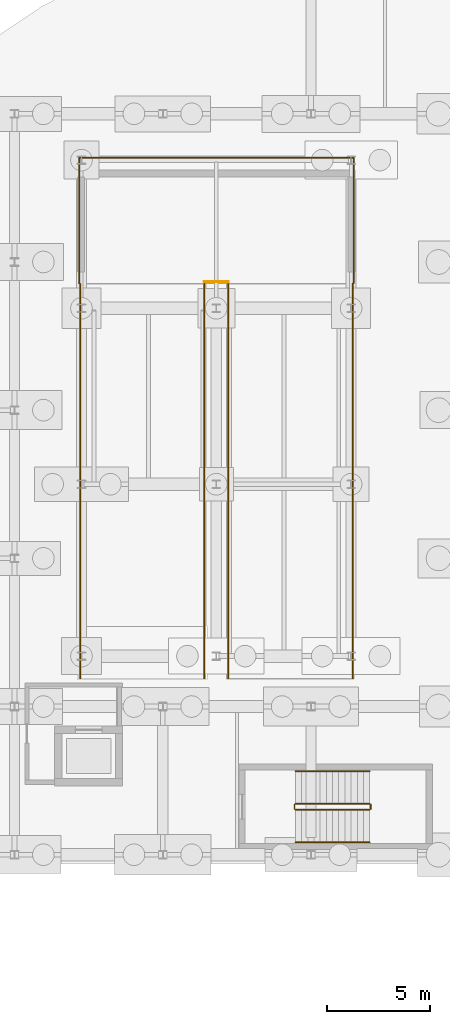
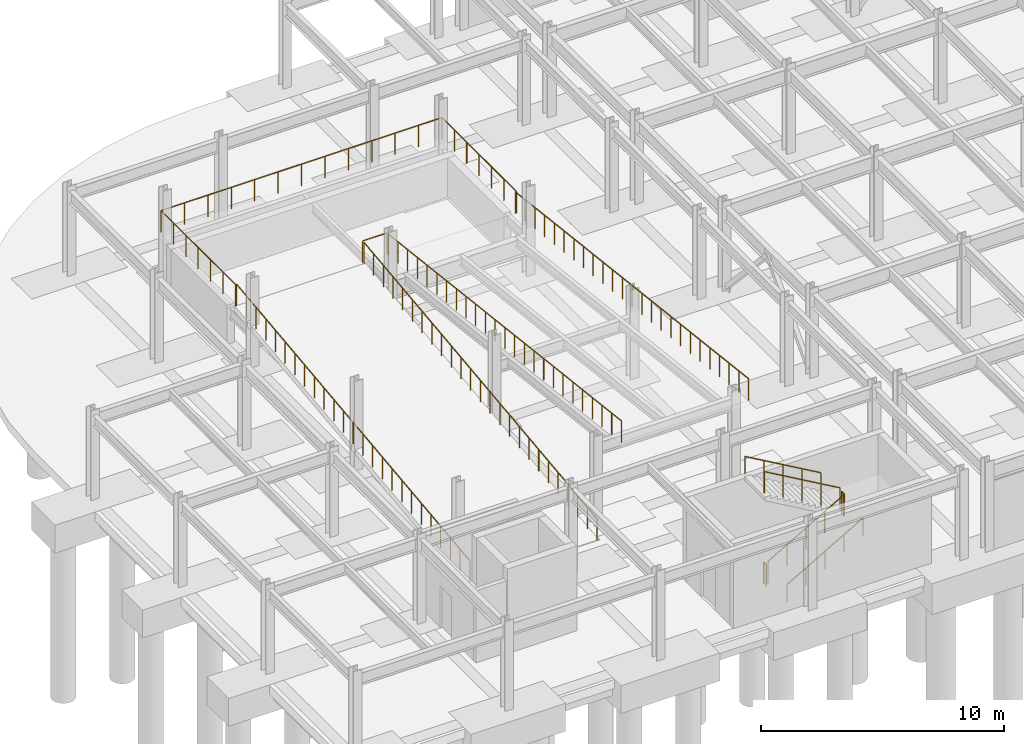
# One storey, part 48 of 54: 26 railings.
"""IFC4 building model written with IfcOpenShell, lengths in metres."""

from ifc_helpers import new_model, si_unit, direction, frame, origin, origin_2d, place, context, subcontext, project, spatial, circle, extrude, material, layer, layer_set, type_object, element, save


model = new_model("IFC4")

# Units and contexts
model_context = context("Model", 3, precision=1e-05, world=origin(), true_north=direction((0.0, 1.0)))
body_context = subcontext(model_context, "Body", "Model", "MODEL_VIEW")
ifc_project = project(units=[si_unit("LENGTHUNIT", "METRE"), si_unit("AREAUNIT", "SQUARE_METRE"), si_unit("VOLUMEUNIT", "CUBIC_METRE"), si_unit("PLANEANGLEUNIT", "RADIAN"), si_unit("MASSUNIT", "GRAM", prefix="KILO")], contexts=[model_context])

# Site, building, storey
site_placement = place(None, origin())
site = spatial("IfcSite", under=ifc_project, at=site_placement, CompositionType="ELEMENT")
building_placement = place(site_placement, origin())
building = spatial("IfcBuilding", under=site, at=building_placement, Name="Vaelcorin Mobility Hub", CompositionType="ELEMENT")
storey_placement = place(building_placement, frame((0.0, 0.0, -4.5)))
storey = spatial("IfcBuildingStorey", under=building, at=storey_placement, Name="B1", CompositionType="ELEMENT", Elevation=-4.5)

# Railings
ifc_material_1 = material(Name="Galvanised structural steel ASTM A36", Category="steel")
ifc_layer_1 = layer(ifc_material_1, 0.070068359375)
ifc_layer_set_1 = layer_set([ifc_layer_1], Name="Galvanised structural steel ASTM A36")
railing_type_1 = type_object("IfcRailingType", Name="RL-GUARD-1100", PredefinedType="BALUSTRADE", material=ifc_layer_set_1)
railing_1_placement = place(storey_placement, frame((16.3798828125, 85.360107421875, 0.0)))
element("IfcRailing", 1, at=railing_1_placement, inside=storey, type_object=railing_type_1, Name="B1 Ramp Guard GR-V2W-B1-FL1-W-01", PredefinedType="BALUSTRADE", context=body_context, shape_type="SweptSolid", body=[
    extrude(circle(Radius=0.02392578125, at=origin_2d()), frame((0.0, 0.0, 1.076171875), z_axis=(0.0, 0.993200909651, 0.116412856111), x_axis=(-1.0, 0.0, 0.0)), (0.0, 0.0, 1.0), 4.82763671875),
    extrude(circle(Radius=0.02099609375, at=origin_2d()), origin(), (0.0, 0.0, 1.0), 1.052001953125),
    extrude(circle(Radius=0.02099609375, at=origin_2d()), frame((0.0, 0.799072265625, 0.09375)), (0.0, 0.0, 1.0), 1.052001953125),
    extrude(circle(Radius=0.02099609375, at=origin_2d()), frame((0.0, 1.598388671875, 0.187255859375)), (0.0, 0.0, 1.0), 1.052001953125),
    extrude(circle(Radius=0.02099609375, at=origin_2d()), frame((0.0, 2.3974609375, 0.281005859375)), (0.0, 0.0, 1.0), 1.052001953125),
    extrude(circle(Radius=0.02099609375, at=origin_2d()), frame((0.0, 3.196533203125, 0.374755859375)), (0.0, 0.0, 1.0), 1.052001953125),
    extrude(circle(Radius=0.02099609375, at=origin_2d()), frame((0.0, 3.995849609375, 0.46826171875)), (0.0, 0.0, 1.0), 1.052001953125),
    extrude(circle(Radius=0.02099609375, at=origin_2d()), frame((0.0, 4.794921875, 0.56201171875)), (0.0, 0.0, 1.0), 1.052001953125),
])
railing_2_placement = place(storey_placement, frame((16.3798828125, 90.155029296875, 0.56201171875)))
element("IfcRailing", 2, at=railing_2_placement, inside=storey, type_object=railing_type_1, Name="B1 Ramp Guard GR-V2W-B1-FL1-W-02", PredefinedType="BALUSTRADE", context=body_context, shape_type="SweptSolid", body=[
    extrude(circle(Radius=0.02392578125, at=origin_2d()), frame((0.0, 0.0, 1.076171875), z_axis=(0.0, 0.993177502128, 0.116612388997), x_axis=(-1.0, 0.0, 0.0)), (0.0, 0.0, 1.0), 4.827880859375),
    extrude(circle(Radius=0.02099609375, at=origin_2d()), origin(), (0.0, 0.0, 1.0), 1.052001953125),
    extrude(circle(Radius=0.02099609375, at=origin_2d()), frame((0.0, 0.799072265625, 0.09375)), (0.0, 0.0, 1.0), 1.052001953125),
    extrude(circle(Radius=0.02099609375, at=origin_2d()), frame((0.0, 1.598388671875, 0.187744140625)), (0.0, 0.0, 1.0), 1.052001953125),
    extrude(circle(Radius=0.02099609375, at=origin_2d()), frame((0.0, 2.3974609375, 0.281494140625)), (0.0, 0.0, 1.0), 1.052001953125),
    extrude(circle(Radius=0.02099609375, at=origin_2d()), frame((0.0, 3.196533203125, 0.375244140625)), (0.0, 0.0, 1.0), 1.052001953125),
    extrude(circle(Radius=0.02099609375, at=origin_2d()), frame((0.0, 3.995849609375, 0.46923828125)), (0.0, 0.0, 1.0), 1.052001953125),
    extrude(circle(Radius=0.02099609375, at=origin_2d()), frame((0.0, 4.794921875, 0.56298828125)), (0.0, 0.0, 1.0), 1.052001953125),
])
railing_3_placement = place(storey_placement, frame((16.3798828125, 94.949951171875, 1.125)))
element("IfcRailing", 3, at=railing_3_placement, inside=storey, type_object=railing_type_1, Name="B1 Ramp Guard GR-V2W-B1-FL1-W-03", PredefinedType="BALUSTRADE", context=body_context, shape_type="SweptSolid", body=[
    extrude(circle(Radius=0.02392578125, at=origin_2d()), frame((0.0, 0.0, 1.076171875), z_axis=(0.0, 0.993178189737, 0.116606532536), x_axis=(-1.0, 0.0, 0.0)), (0.0, 0.0, 1.0), 4.828125),
    extrude(circle(Radius=0.02099609375, at=origin_2d()), origin(), (0.0, 0.0, 1.0), 1.052001953125),
    extrude(circle(Radius=0.02099609375, at=origin_2d()), frame((0.0, 0.79931640625, 0.09375)), (0.0, 0.0, 1.0), 1.052001953125),
    extrude(circle(Radius=0.02099609375, at=origin_2d()), frame((0.0, 1.598388671875, 0.187744140625)), (0.0, 0.0, 1.0), 1.052001953125),
    extrude(circle(Radius=0.02099609375, at=origin_2d()), frame((0.0, 2.3974609375, 0.281494140625)), (0.0, 0.0, 1.0), 1.052001953125),
    extrude(circle(Radius=0.02099609375, at=origin_2d()), frame((0.0, 3.19677734375, 0.375244140625)), (0.0, 0.0, 1.0), 1.052001953125),
    extrude(circle(Radius=0.02099609375, at=origin_2d()), frame((0.0, 3.99609375, 0.46923828125)), (0.0, 0.0, 1.0), 1.052001953125),
    extrude(circle(Radius=0.02099609375, at=origin_2d()), frame((0.0, 4.795166015625, 0.56298828125)), (0.0, 0.0, 1.0), 1.052001953125),
])
for number, where, name in (
    (4, (16.3798828125, 99.7451171875, 1.68798828125), "B1 Ramp Guard GR-V2W-B1-FL1-W-04"),
    (5, (22.419921875, 85.360107421875, 0.0), "B1 Ramp Guard GR-V2W-B1-FL1-E-01"),
):
    element("IfcRailing", number, at=place(storey_placement, frame(where)), inside=storey, type_object=railing_type_1, Name=name, PredefinedType="BALUSTRADE", context=body_context, shape_type="SweptSolid", body=[
        extrude(circle(Radius=0.02392578125, at=origin_2d()), frame((0.0, 0.0, 1.076171875), z_axis=(0.0, 0.993200909651, 0.116412856111), x_axis=(-1.0, 0.0, 0.0)), (0.0, 0.0, 1.0), 4.82763671875),
        extrude(circle(Radius=0.02099609375, at=origin_2d()), origin(), (0.0, 0.0, 1.0), 1.052001953125),
        extrude(circle(Radius=0.02099609375, at=origin_2d()), frame((0.0, 0.799072265625, 0.09375)), (0.0, 0.0, 1.0), 1.052001953125),
        extrude(circle(Radius=0.02099609375, at=origin_2d()), frame((0.0, 1.598388671875, 0.187255859375)), (0.0, 0.0, 1.0), 1.052001953125),
        extrude(circle(Radius=0.02099609375, at=origin_2d()), frame((0.0, 2.3974609375, 0.281005859375)), (0.0, 0.0, 1.0), 1.052001953125),
        extrude(circle(Radius=0.02099609375, at=origin_2d()), frame((0.0, 3.196533203125, 0.374755859375)), (0.0, 0.0, 1.0), 1.052001953125),
        extrude(circle(Radius=0.02099609375, at=origin_2d()), frame((0.0, 3.995849609375, 0.46826171875)), (0.0, 0.0, 1.0), 1.052001953125),
        extrude(circle(Radius=0.02099609375, at=origin_2d()), frame((0.0, 4.794921875, 0.56201171875)), (0.0, 0.0, 1.0), 1.052001953125),
    ])
railing_4_placement = place(storey_placement, frame((22.419921875, 90.155029296875, 0.56201171875)))
element("IfcRailing", 6, at=railing_4_placement, inside=storey, type_object=railing_type_1, Name="B1 Ramp Guard GR-V2W-B1-FL1-E-02", PredefinedType="BALUSTRADE", context=body_context, shape_type="SweptSolid", body=[
    extrude(circle(Radius=0.02392578125, at=origin_2d()), frame((0.0, 0.0, 1.076171875), z_axis=(0.0, 0.993177502128, 0.116612388997), x_axis=(-1.0, 0.0, 0.0)), (0.0, 0.0, 1.0), 4.827880859375),
    extrude(circle(Radius=0.02099609375, at=origin_2d()), origin(), (0.0, 0.0, 1.0), 1.052001953125),
    extrude(circle(Radius=0.02099609375, at=origin_2d()), frame((0.0, 0.799072265625, 0.09375)), (0.0, 0.0, 1.0), 1.052001953125),
    extrude(circle(Radius=0.02099609375, at=origin_2d()), frame((0.0, 1.598388671875, 0.187744140625)), (0.0, 0.0, 1.0), 1.052001953125),
    extrude(circle(Radius=0.02099609375, at=origin_2d()), frame((0.0, 2.3974609375, 0.281494140625)), (0.0, 0.0, 1.0), 1.052001953125),
    extrude(circle(Radius=0.02099609375, at=origin_2d()), frame((0.0, 3.196533203125, 0.375244140625)), (0.0, 0.0, 1.0), 1.052001953125),
    extrude(circle(Radius=0.02099609375, at=origin_2d()), frame((0.0, 3.995849609375, 0.46923828125)), (0.0, 0.0, 1.0), 1.052001953125),
    extrude(circle(Radius=0.02099609375, at=origin_2d()), frame((0.0, 4.794921875, 0.56298828125)), (0.0, 0.0, 1.0), 1.052001953125),
])
railing_5_placement = place(storey_placement, frame((22.419921875, 94.949951171875, 1.125)))
element("IfcRailing", 7, at=railing_5_placement, inside=storey, type_object=railing_type_1, Name="B1 Ramp Guard GR-V2W-B1-FL1-E-03", PredefinedType="BALUSTRADE", context=body_context, shape_type="SweptSolid", body=[
    extrude(circle(Radius=0.02392578125, at=origin_2d()), frame((0.0, 0.0, 1.076171875), z_axis=(0.0, 0.993178189737, 0.116606532536), x_axis=(-1.0, 0.0, 0.0)), (0.0, 0.0, 1.0), 4.828125),
    extrude(circle(Radius=0.02099609375, at=origin_2d()), origin(), (0.0, 0.0, 1.0), 1.052001953125),
    extrude(circle(Radius=0.02099609375, at=origin_2d()), frame((0.0, 0.79931640625, 0.09375)), (0.0, 0.0, 1.0), 1.052001953125),
    extrude(circle(Radius=0.02099609375, at=origin_2d()), frame((0.0, 1.598388671875, 0.187744140625)), (0.0, 0.0, 1.0), 1.052001953125),
    extrude(circle(Radius=0.02099609375, at=origin_2d()), frame((0.0, 2.3974609375, 0.281494140625)), (0.0, 0.0, 1.0), 1.052001953125),
    extrude(circle(Radius=0.02099609375, at=origin_2d()), frame((0.0, 3.19677734375, 0.375244140625)), (0.0, 0.0, 1.0), 1.052001953125),
    extrude(circle(Radius=0.02099609375, at=origin_2d()), frame((0.0, 3.99609375, 0.46923828125)), (0.0, 0.0, 1.0), 1.052001953125),
    extrude(circle(Radius=0.02099609375, at=origin_2d()), frame((0.0, 4.795166015625, 0.56298828125)), (0.0, 0.0, 1.0), 1.052001953125),
])
railing_6_placement = place(storey_placement, frame((22.419921875, 99.7451171875, 1.68798828125)))
element("IfcRailing", 8, at=railing_6_placement, inside=storey, type_object=railing_type_1, Name="B1 Ramp Guard GR-V2W-B1-FL1-E-04", PredefinedType="BALUSTRADE", context=body_context, shape_type="SweptSolid", body=[
    extrude(circle(Radius=0.02392578125, at=origin_2d()), frame((0.0, 0.0, 1.076171875), z_axis=(0.0, 0.993200909651, 0.116412856111), x_axis=(-1.0, 0.0, 0.0)), (0.0, 0.0, 1.0), 4.82763671875),
    extrude(circle(Radius=0.02099609375, at=origin_2d()), origin(), (0.0, 0.0, 1.0), 1.052001953125),
    extrude(circle(Radius=0.02099609375, at=origin_2d()), frame((0.0, 0.799072265625, 0.09375)), (0.0, 0.0, 1.0), 1.052001953125),
    extrude(circle(Radius=0.02099609375, at=origin_2d()), frame((0.0, 1.598388671875, 0.187255859375)), (0.0, 0.0, 1.0), 1.052001953125),
    extrude(circle(Radius=0.02099609375, at=origin_2d()), frame((0.0, 2.3974609375, 0.281005859375)), (0.0, 0.0, 1.0), 1.052001953125),
    extrude(circle(Radius=0.02099609375, at=origin_2d()), frame((0.0, 3.196533203125, 0.374755859375)), (0.0, 0.0, 1.0), 1.052001953125),
    extrude(circle(Radius=0.02099609375, at=origin_2d()), frame((0.0, 3.995849609375, 0.46826171875)), (0.0, 0.0, 1.0), 1.052001953125),
    extrude(circle(Radius=0.02099609375, at=origin_2d()), frame((0.0, 4.794921875, 0.56201171875)), (0.0, 0.0, 1.0), 1.052001953125),
])
railing_7_placement = place(storey_placement, frame((23.580078125, 104.5400390625, 2.25)))
element("IfcRailing", 9, at=railing_7_placement, inside=storey, type_object=railing_type_1, Name="B1 Ramp Guard GR-V2W-B1-FL2-W-01", PredefinedType="BALUSTRADE", context=body_context, shape_type="SweptSolid", body=[
    extrude(circle(Radius=0.02392578125, at=origin_2d()), frame((0.0, 0.0, 1.076171875), z_axis=(0.0, -0.993200909651, 0.116412856111), x_axis=(1.0, 0.0, 0.0)), (0.0, 0.0, 1.0), 4.82763671875),
    extrude(circle(Radius=0.02099609375, at=origin_2d()), origin(), (0.0, 0.0, 1.0), 1.052001953125),
    extrude(circle(Radius=0.02099609375, at=origin_2d()), frame((0.0, -0.799072265625, 0.09375)), (0.0, 0.0, 1.0), 1.052001953125),
    extrude(circle(Radius=0.02099609375, at=origin_2d()), frame((0.0, -1.598388671875, 0.187255859375)), (0.0, 0.0, 1.0), 1.052001953125),
    extrude(circle(Radius=0.02099609375, at=origin_2d()), frame((0.0, -2.3974609375, 0.281005859375)), (0.0, 0.0, 1.0), 1.052001953125),
    extrude(circle(Radius=0.02099609375, at=origin_2d()), frame((0.0, -3.196533203125, 0.374755859375)), (0.0, 0.0, 1.0), 1.052001953125),
    extrude(circle(Radius=0.02099609375, at=origin_2d()), frame((0.0, -3.995849609375, 0.46826171875)), (0.0, 0.0, 1.0), 1.052001953125),
    extrude(circle(Radius=0.02099609375, at=origin_2d()), frame((0.0, -4.794921875, 0.56201171875)), (0.0, 0.0, 1.0), 1.052001953125),
])
railing_8_placement = place(storey_placement, frame((23.580078125, 99.7451171875, 2.81201171875)))
element("IfcRailing", 10, at=railing_8_placement, inside=storey, type_object=railing_type_1, Name="B1 Ramp Guard GR-V2W-B1-FL2-W-02", PredefinedType="BALUSTRADE", context=body_context, shape_type="SweptSolid", body=[
    extrude(circle(Radius=0.02392578125, at=origin_2d()), frame((0.0, 0.0, 1.076171875), z_axis=(0.0, -0.993178189737, 0.116606532536), x_axis=(1.0, 0.0, 0.0)), (0.0, 0.0, 1.0), 4.828125),
    extrude(circle(Radius=0.02099609375, at=origin_2d()), origin(), (0.0, 0.0, 1.0), 1.052001953125),
    extrude(circle(Radius=0.02099609375, at=origin_2d()), frame((0.0, -0.79931640625, 0.09375)), (0.0, 0.0, 1.0), 1.052001953125),
    extrude(circle(Radius=0.02099609375, at=origin_2d()), frame((0.0, -1.598388671875, 0.187744140625)), (0.0, 0.0, 1.0), 1.052001953125),
    extrude(circle(Radius=0.02099609375, at=origin_2d()), frame((0.0, -2.3974609375, 0.281494140625)), (0.0, 0.0, 1.0), 1.052001953125),
    extrude(circle(Radius=0.02099609375, at=origin_2d()), frame((0.0, -3.19677734375, 0.375244140625)), (0.0, 0.0, 1.0), 1.052001953125),
    extrude(circle(Radius=0.02099609375, at=origin_2d()), frame((0.0, -3.99609375, 0.46923828125)), (0.0, 0.0, 1.0), 1.052001953125),
    extrude(circle(Radius=0.02099609375, at=origin_2d()), frame((0.0, -4.795166015625, 0.56298828125)), (0.0, 0.0, 1.0), 1.052001953125),
])
railing_9_placement = place(storey_placement, frame((23.580078125, 94.949951171875, 3.375)))
element("IfcRailing", 11, at=railing_9_placement, inside=storey, type_object=railing_type_1, Name="B1 Ramp Guard GR-V2W-B1-FL2-W-03", PredefinedType="BALUSTRADE", context=body_context, shape_type="SweptSolid", body=[
    extrude(circle(Radius=0.02392578125, at=origin_2d()), frame((0.0, 0.0, 1.076171875), z_axis=(0.0, -0.993177502128, 0.116612388997), x_axis=(1.0, 0.0, 0.0)), (0.0, 0.0, 1.0), 4.827880859375),
    extrude(circle(Radius=0.02099609375, at=origin_2d()), origin(), (0.0, 0.0, 1.0), 1.052001953125),
    extrude(circle(Radius=0.02099609375, at=origin_2d()), frame((0.0, -0.799072265625, 0.09375)), (0.0, 0.0, 1.0), 1.052001953125),
    extrude(circle(Radius=0.02099609375, at=origin_2d()), frame((0.0, -1.598388671875, 0.187744140625)), (0.0, 0.0, 1.0), 1.052001953125),
    extrude(circle(Radius=0.02099609375, at=origin_2d()), frame((0.0, -2.3974609375, 0.281494140625)), (0.0, 0.0, 1.0), 1.052001953125),
    extrude(circle(Radius=0.02099609375, at=origin_2d()), frame((0.0, -3.196533203125, 0.375244140625)), (0.0, 0.0, 1.0), 1.052001953125),
    extrude(circle(Radius=0.02099609375, at=origin_2d()), frame((0.0, -3.995849609375, 0.46923828125)), (0.0, 0.0, 1.0), 1.052001953125),
    extrude(circle(Radius=0.02099609375, at=origin_2d()), frame((0.0, -4.794921875, 0.56298828125)), (0.0, 0.0, 1.0), 1.052001953125),
])
for number, where, name in (
    (12, (23.580078125, 90.155029296875, 3.93798828125), "B1 Ramp Guard GR-V2W-B1-FL2-W-04"),
    (13, (29.6201171875, 104.5400390625, 2.25), "B1 Ramp Guard GR-V2W-B1-FL2-E-01"),
):
    element("IfcRailing", number, at=place(storey_placement, frame(where)), inside=storey, type_object=railing_type_1, Name=name, PredefinedType="BALUSTRADE", context=body_context, shape_type="SweptSolid", body=[
        extrude(circle(Radius=0.02392578125, at=origin_2d()), frame((0.0, 0.0, 1.076171875), z_axis=(0.0, -0.993200909651, 0.116412856111), x_axis=(1.0, 0.0, 0.0)), (0.0, 0.0, 1.0), 4.82763671875),
        extrude(circle(Radius=0.02099609375, at=origin_2d()), origin(), (0.0, 0.0, 1.0), 1.052001953125),
        extrude(circle(Radius=0.02099609375, at=origin_2d()), frame((0.0, -0.799072265625, 0.09375)), (0.0, 0.0, 1.0), 1.052001953125),
        extrude(circle(Radius=0.02099609375, at=origin_2d()), frame((0.0, -1.598388671875, 0.187255859375)), (0.0, 0.0, 1.0), 1.052001953125),
        extrude(circle(Radius=0.02099609375, at=origin_2d()), frame((0.0, -2.3974609375, 0.281005859375)), (0.0, 0.0, 1.0), 1.052001953125),
        extrude(circle(Radius=0.02099609375, at=origin_2d()), frame((0.0, -3.196533203125, 0.374755859375)), (0.0, 0.0, 1.0), 1.052001953125),
        extrude(circle(Radius=0.02099609375, at=origin_2d()), frame((0.0, -3.995849609375, 0.46826171875)), (0.0, 0.0, 1.0), 1.052001953125),
        extrude(circle(Radius=0.02099609375, at=origin_2d()), frame((0.0, -4.794921875, 0.56201171875)), (0.0, 0.0, 1.0), 1.052001953125),
    ])
railing_10_placement = place(storey_placement, frame((29.6201171875, 99.7451171875, 2.81201171875)))
element("IfcRailing", 14, at=railing_10_placement, inside=storey, type_object=railing_type_1, Name="B1 Ramp Guard GR-V2W-B1-FL2-E-02", PredefinedType="BALUSTRADE", context=body_context, shape_type="SweptSolid", body=[
    extrude(circle(Radius=0.02392578125, at=origin_2d()), frame((0.0, 0.0, 1.076171875), z_axis=(0.0, -0.993178189737, 0.116606532536), x_axis=(1.0, 0.0, 0.0)), (0.0, 0.0, 1.0), 4.828125),
    extrude(circle(Radius=0.02099609375, at=origin_2d()), origin(), (0.0, 0.0, 1.0), 1.052001953125),
    extrude(circle(Radius=0.02099609375, at=origin_2d()), frame((0.0, -0.79931640625, 0.09375)), (0.0, 0.0, 1.0), 1.052001953125),
    extrude(circle(Radius=0.02099609375, at=origin_2d()), frame((0.0, -1.598388671875, 0.187744140625)), (0.0, 0.0, 1.0), 1.052001953125),
    extrude(circle(Radius=0.02099609375, at=origin_2d()), frame((0.0, -2.3974609375, 0.281494140625)), (0.0, 0.0, 1.0), 1.052001953125),
    extrude(circle(Radius=0.02099609375, at=origin_2d()), frame((0.0, -3.19677734375, 0.375244140625)), (0.0, 0.0, 1.0), 1.052001953125),
    extrude(circle(Radius=0.02099609375, at=origin_2d()), frame((0.0, -3.99609375, 0.46923828125)), (0.0, 0.0, 1.0), 1.052001953125),
    extrude(circle(Radius=0.02099609375, at=origin_2d()), frame((0.0, -4.795166015625, 0.56298828125)), (0.0, 0.0, 1.0), 1.052001953125),
])
railing_11_placement = place(storey_placement, frame((29.6201171875, 94.949951171875, 3.375)))
element("IfcRailing", 15, at=railing_11_placement, inside=storey, type_object=railing_type_1, Name="B1 Ramp Guard GR-V2W-B1-FL2-E-03", PredefinedType="BALUSTRADE", context=body_context, shape_type="SweptSolid", body=[
    extrude(circle(Radius=0.02392578125, at=origin_2d()), frame((0.0, 0.0, 1.076171875), z_axis=(0.0, -0.993177502128, 0.116612388997), x_axis=(1.0, 0.0, 0.0)), (0.0, 0.0, 1.0), 4.827880859375),
    extrude(circle(Radius=0.02099609375, at=origin_2d()), origin(), (0.0, 0.0, 1.0), 1.052001953125),
    extrude(circle(Radius=0.02099609375, at=origin_2d()), frame((0.0, -0.799072265625, 0.09375)), (0.0, 0.0, 1.0), 1.052001953125),
    extrude(circle(Radius=0.02099609375, at=origin_2d()), frame((0.0, -1.598388671875, 0.187744140625)), (0.0, 0.0, 1.0), 1.052001953125),
    extrude(circle(Radius=0.02099609375, at=origin_2d()), frame((0.0, -2.3974609375, 0.281494140625)), (0.0, 0.0, 1.0), 1.052001953125),
    extrude(circle(Radius=0.02099609375, at=origin_2d()), frame((0.0, -3.196533203125, 0.375244140625)), (0.0, 0.0, 1.0), 1.052001953125),
    extrude(circle(Radius=0.02099609375, at=origin_2d()), frame((0.0, -3.995849609375, 0.46923828125)), (0.0, 0.0, 1.0), 1.052001953125),
    extrude(circle(Radius=0.02099609375, at=origin_2d()), frame((0.0, -4.794921875, 0.56298828125)), (0.0, 0.0, 1.0), 1.052001953125),
])
railing_12_placement = place(storey_placement, frame((29.6201171875, 90.155029296875, 3.93798828125)))
element("IfcRailing", 16, at=railing_12_placement, inside=storey, type_object=railing_type_1, Name="B1 Ramp Guard GR-V2W-B1-FL2-E-04", PredefinedType="BALUSTRADE", context=body_context, shape_type="SweptSolid", body=[
    extrude(circle(Radius=0.02392578125, at=origin_2d()), frame((0.0, 0.0, 1.076171875), z_axis=(0.0, -0.993200909651, 0.116412856111), x_axis=(1.0, 0.0, 0.0)), (0.0, 0.0, 1.0), 4.82763671875),
    extrude(circle(Radius=0.02099609375, at=origin_2d()), origin(), (0.0, 0.0, 1.0), 1.052001953125),
    extrude(circle(Radius=0.02099609375, at=origin_2d()), frame((0.0, -0.799072265625, 0.09375)), (0.0, 0.0, 1.0), 1.052001953125),
    extrude(circle(Radius=0.02099609375, at=origin_2d()), frame((0.0, -1.598388671875, 0.187255859375)), (0.0, 0.0, 1.0), 1.052001953125),
    extrude(circle(Radius=0.02099609375, at=origin_2d()), frame((0.0, -2.3974609375, 0.281005859375)), (0.0, 0.0, 1.0), 1.052001953125),
    extrude(circle(Radius=0.02099609375, at=origin_2d()), frame((0.0, -3.196533203125, 0.374755859375)), (0.0, 0.0, 1.0), 1.052001953125),
    extrude(circle(Radius=0.02099609375, at=origin_2d()), frame((0.0, -3.995849609375, 0.46826171875)), (0.0, 0.0, 1.0), 1.052001953125),
    extrude(circle(Radius=0.02099609375, at=origin_2d()), frame((0.0, -4.794921875, 0.56201171875)), (0.0, 0.0, 1.0), 1.052001953125),
])
railing_13_placement = place(storey_placement, frame((16.330078125, 104.56005859375, 2.25)))
element("IfcRailing", 17, at=railing_13_placement, inside=storey, type_object=railing_type_1, Name="B1 Perimeter Guard GR-V2W-B1-LND-01", PredefinedType="BALUSTRADE", context=body_context, shape_type="SweptSolid", body=[
    extrude(circle(Radius=0.02392578125, at=origin_2d()), frame((0.0, 0.0, 1.076171875), z_axis=(0.0, 1.0, 0.0), x_axis=(-1.0, 0.0, 0.0)), (0.0, 0.0, 1.0), 6.10986328125),
    extrude(circle(Radius=0.02099609375, at=origin_2d()), origin(), (0.0, 0.0, 1.0), 1.052001953125),
    extrude(circle(Radius=0.02099609375, at=origin_2d()), frame((0.0, 1.018310546875, 0.0)), (0.0, 0.0, 1.0), 1.052001953125),
    extrude(circle(Radius=0.02099609375, at=origin_2d()), frame((0.0, 2.03662109375, 0.0)), (0.0, 0.0, 1.0), 1.052001953125),
    extrude(circle(Radius=0.02099609375, at=origin_2d()), frame((0.0, 3.054931640625, 0.0)), (0.0, 0.0, 1.0), 1.052001953125),
    extrude(circle(Radius=0.02099609375, at=origin_2d()), frame((0.0, 4.0732421875, 0.0)), (0.0, 0.0, 1.0), 1.052001953125),
    extrude(circle(Radius=0.02099609375, at=origin_2d()), frame((0.0, 5.091552734375, 0.0)), (0.0, 0.0, 1.0), 1.052001953125),
    extrude(circle(Radius=0.02099609375, at=origin_2d()), frame((0.0, 6.10986328125, 0.0)), (0.0, 0.0, 1.0), 1.052001953125),
])
railing_14_placement = place(storey_placement, frame((16.330078125, 110.669921875, 2.25)))
element("IfcRailing", 18, at=railing_14_placement, inside=storey, type_object=railing_type_1, Name="B1 Perimeter Guard GR-V2W-B1-LND-02", PredefinedType="BALUSTRADE", context=body_context, shape_type="SweptSolid", body=[
    extrude(circle(Radius=0.02392578125, at=origin_2d()), frame((0.0, 0.0, 1.076171875), z_axis=(1.0, 0.0, 0.0), x_axis=(0.0, 1.0, 0.0)), (0.0, 0.0, 1.0), 13.33984375),
    extrude(circle(Radius=0.02099609375, at=origin_2d()), origin(), (0.0, 0.0, 1.0), 1.052001953125),
    extrude(circle(Radius=0.02099609375, at=origin_2d()), frame((1.111572265625, 0.0, 0.0)), (0.0, 0.0, 1.0), 1.052001953125),
    extrude(circle(Radius=0.02099609375, at=origin_2d()), frame((2.223388671875, 0.0, 0.0)), (0.0, 0.0, 1.0), 1.052001953125),
    extrude(circle(Radius=0.02099609375, at=origin_2d()), frame((3.3349609375, 0.0, 0.0)), (0.0, 0.0, 1.0), 1.052001953125),
    extrude(circle(Radius=0.02099609375, at=origin_2d()), frame((4.446533203125, 0.0, 0.0)), (0.0, 0.0, 1.0), 1.052001953125),
    extrude(circle(Radius=0.02099609375, at=origin_2d()), frame((5.558349609375, 0.0, 0.0)), (0.0, 0.0, 1.0), 1.052001953125),
    extrude(circle(Radius=0.02099609375, at=origin_2d()), frame((6.669921875, 0.0, 0.0)), (0.0, 0.0, 1.0), 1.052001953125),
    extrude(circle(Radius=0.02099609375, at=origin_2d()), frame((7.781494140625, 0.0, 0.0)), (0.0, 0.0, 1.0), 1.052001953125),
    extrude(circle(Radius=0.02099609375, at=origin_2d()), frame((8.893310546875, 0.0, 0.0)), (0.0, 0.0, 1.0), 1.052001953125),
    extrude(circle(Radius=0.02099609375, at=origin_2d()), frame((10.0048828125, 0.0, 0.0)), (0.0, 0.0, 1.0), 1.052001953125),
    extrude(circle(Radius=0.02099609375, at=origin_2d()), frame((11.116455078125, 0.0, 0.0)), (0.0, 0.0, 1.0), 1.052001953125),
    extrude(circle(Radius=0.02099609375, at=origin_2d()), frame((12.228271484375, 0.0, 0.0)), (0.0, 0.0, 1.0), 1.052001953125),
    extrude(circle(Radius=0.02099609375, at=origin_2d()), frame((13.33984375, 0.0, 0.0)), (0.0, 0.0, 1.0), 1.052001953125),
])
railing_15_placement = place(storey_placement, frame((29.669921875, 110.669921875, 2.25)))
element("IfcRailing", 19, at=railing_15_placement, inside=storey, type_object=railing_type_1, Name="B1 Perimeter Guard GR-V2W-B1-LND-03", PredefinedType="BALUSTRADE", context=body_context, shape_type="SweptSolid", body=[
    extrude(circle(Radius=0.02392578125, at=origin_2d()), frame((0.0, 0.0, 1.076171875), z_axis=(0.0, -1.0, 0.0), x_axis=(1.0, 0.0, 0.0)), (0.0, 0.0, 1.0), 6.10986328125),
    extrude(circle(Radius=0.02099609375, at=origin_2d()), origin(), (0.0, 0.0, 1.0), 1.052001953125),
    extrude(circle(Radius=0.02099609375, at=origin_2d()), frame((0.0, -1.018310546875, 0.0)), (0.0, 0.0, 1.0), 1.052001953125),
    extrude(circle(Radius=0.02099609375, at=origin_2d()), frame((0.0, -2.03662109375, 0.0)), (0.0, 0.0, 1.0), 1.052001953125),
    extrude(circle(Radius=0.02099609375, at=origin_2d()), frame((0.0, -3.054931640625, 0.0)), (0.0, 0.0, 1.0), 1.052001953125),
    extrude(circle(Radius=0.02099609375, at=origin_2d()), frame((0.0, -4.0732421875, 0.0)), (0.0, 0.0, 1.0), 1.052001953125),
    extrude(circle(Radius=0.02099609375, at=origin_2d()), frame((0.0, -5.091552734375, 0.0)), (0.0, 0.0, 1.0), 1.052001953125),
    extrude(circle(Radius=0.02099609375, at=origin_2d()), frame((0.0, -6.10986328125, 0.0)), (0.0, 0.0, 1.0), 1.052001953125),
])
railing_16_placement = place(storey_placement, frame((22.419921875, 104.639892578125, 2.25)))
element("IfcRailing", 20, at=railing_16_placement, inside=storey, type_object=railing_type_1, Name="B1 Perimeter Guard GR-V2W-B1-LND-MED-01", PredefinedType="BALUSTRADE", context=body_context, shape_type="SweptSolid", body=[
    extrude(circle(Radius=0.02392578125, at=origin_2d()), frame((0.0, 0.0, 1.076171875), z_axis=(1.0, 0.0, 0.0), x_axis=(0.0, 1.0, 0.0)), (0.0, 0.0, 1.0), 1.16015625),
    extrude(circle(Radius=0.02099609375, at=origin_2d()), origin(), (0.0, 0.0, 1.0), 1.052001953125),
    extrude(circle(Radius=0.02099609375, at=origin_2d()), frame((1.16015625, 0.0, 0.0)), (0.0, 0.0, 1.0), 1.052001953125),
])
ifc_material_2 = material(Name="Brushed stainless steel 316L", Category="steel")
ifc_layer_2 = layer(ifc_material_2, 0.048095703125)
ifc_layer_set_2 = layer_set([ifc_layer_2], Name="Brushed stainless steel 316L")
railing_type_2 = type_object("IfcRailingType", Name="RL-STAIR-GRD", PredefinedType="GUARDRAIL", material=ifc_layer_set_2)
railing_17_placement = place(storey_placement, frame((26.85009765625, 78.97998046875, 0.173095703125)))
element("IfcRailing", 21, at=railing_17_placement, inside=storey, type_object=railing_type_2, Name="B1 ST1 stair guard 1", PredefinedType="GUARDRAIL", context=body_context, shape_type="SweptSolid", body=[
    extrude(circle(Radius=0.02392578125, at=origin_2d()), frame((0.0, 0.0, 1.076171875), z_axis=(0.866178740119, 0.0, 0.499734319579), x_axis=(0.0, 1.0, 0.0)), (0.0, 0.0, 1.0), 4.156005859375),
    extrude(circle(Radius=0.02099609375, at=origin_2d()), origin(), (0.0, 0.0, 1.0), 1.052001953125),
    extrude(circle(Radius=0.02099609375, at=origin_2d()), frame((0.89990234375, 0.0, 0.519287109375)), (0.0, 0.0, 1.0), 1.052001953125),
    extrude(circle(Radius=0.02099609375, at=origin_2d()), frame((1.7998046875, 0.0, 1.03857421875)), (0.0, 0.0, 1.0), 1.052001953125),
    extrude(circle(Radius=0.02099609375, at=origin_2d()), frame((2.699951171875, 0.0, 1.5576171875)), (0.0, 0.0, 1.0), 1.052001953125),
    extrude(circle(Radius=0.02099609375, at=origin_2d()), frame((3.599853515625, 0.0, 2.076904296875)), (0.0, 0.0, 1.0), 1.052001953125),
])
railing_18_placement = place(storey_placement, frame((30.5, 79.030029296875, 2.25)))
element("IfcRailing", 22, at=railing_18_placement, inside=storey, type_object=railing_type_2, Name="B1 ST1 stair guard 2", PredefinedType="GUARDRAIL", context=body_context, shape_type="SweptSolid", body=[
    extrude(circle(Radius=0.02392578125, at=origin_2d()), frame((0.0, 0.0, 1.076171875), z_axis=(0.0, 1.0, 0.0), x_axis=(-1.0, 0.0, 0.0)), (0.0, 0.0, 1.0), 0.199951171875),
    extrude(circle(Radius=0.02099609375, at=origin_2d()), origin(), (0.0, 0.0, 1.0), 1.052001953125),
    extrude(circle(Radius=0.02099609375, at=origin_2d()), frame((0.0, 0.199951171875, 0.0)), (0.0, 0.0, 1.0), 1.052001953125),
])
railing_19_placement = place(storey_placement, frame((30.449951171875, 79.280029296875, 2.423095703125)))
element("IfcRailing", 23, at=railing_19_placement, inside=storey, type_object=railing_type_2, Name="B1 ST1 stair guard 3", PredefinedType="GUARDRAIL", context=body_context, shape_type="SweptSolid", body=[
    extrude(circle(Radius=0.02392578125, at=origin_2d()), frame((0.0, 0.0, 1.076171875), z_axis=(-0.866178740119, 0.0, 0.499734319579), x_axis=(0.0, -1.0, 0.0)), (0.0, 0.0, 1.0), 4.156005859375),
    extrude(circle(Radius=0.02099609375, at=origin_2d()), origin(), (0.0, 0.0, 1.0), 1.052001953125),
    extrude(circle(Radius=0.02099609375, at=origin_2d()), frame((-0.89990234375, 0.0, 0.519287109375)), (0.0, 0.0, 1.0), 1.052001953125),
    extrude(circle(Radius=0.02099609375, at=origin_2d()), frame((-1.7998046875, 0.0, 1.03857421875)), (0.0, 0.0, 1.0), 1.052001953125),
    extrude(circle(Radius=0.02099609375, at=origin_2d()), frame((-2.699951171875, 0.0, 1.5576171875)), (0.0, 0.0, 1.0), 1.052001953125),
    extrude(circle(Radius=0.02099609375, at=origin_2d()), frame((-3.599853515625, 0.0, 2.076904296875)), (0.0, 0.0, 1.0), 1.052001953125),
])
railing_20_placement = place(storey_placement, frame((26.800048828125, 79.030029296875, 0.0)))
element("IfcRailing", 24, at=railing_20_placement, inside=storey, type_object=railing_type_2, Name="B1 ST1 stair guard 4", PredefinedType="GUARDRAIL", context=body_context, shape_type="SweptSolid", body=[
    extrude(circle(Radius=0.02392578125, at=origin_2d()), frame((0.0, 0.0, 1.076171875), z_axis=(0.0, 1.0, 0.0), x_axis=(-1.0, 0.0, 0.0)), (0.0, 0.0, 1.0), 0.199951171875),
    extrude(circle(Radius=0.02099609375, at=origin_2d()), origin(), (0.0, 0.0, 1.0), 1.052001953125),
    extrude(circle(Radius=0.02099609375, at=origin_2d()), frame((0.0, 0.199951171875, 0.0)), (0.0, 0.0, 1.0), 1.052001953125),
])
ifc_layer_3 = layer(ifc_material_2, 0.048095703125)
ifc_layer_set_3 = layer_set([ifc_layer_3], Name="Brushed stainless steel 316L")
railing_type_3 = type_object("IfcRailingType", Name="RL-STAIR-HR", PredefinedType="HANDRAIL", material=ifc_layer_set_3)
railing_21_placement = place(storey_placement, frame((26.85009765625, 77.39990234375, 0.173095703125)))
element("IfcRailing", 25, at=railing_21_placement, inside=storey, type_object=railing_type_3, Name="B1 ST1 stair handrail 1", PredefinedType="HANDRAIL", context=body_context, shape_type="SweptSolid", body=[
    extrude(circle(Radius=0.02392578125, at=origin_2d()), frame((0.0, 0.0, 0.8759765625), z_axis=(0.866178740119, 0.0, 0.499734319579), x_axis=(0.0, 1.0, 0.0)), (0.0, 0.0, 1.0), 4.156005859375),
    extrude(circle(Radius=0.02099609375, at=origin_2d()), origin(), (0.0, 0.0, 1.0), 0.851806640625),
    extrude(circle(Radius=0.02099609375, at=origin_2d()), frame((0.89990234375, 0.0, 0.519287109375)), (0.0, 0.0, 1.0), 0.851806640625),
    extrude(circle(Radius=0.02099609375, at=origin_2d()), frame((1.7998046875, 0.0, 1.03857421875)), (0.0, 0.0, 1.0), 0.851806640625),
    extrude(circle(Radius=0.02099609375, at=origin_2d()), frame((2.699951171875, 0.0, 1.5576171875)), (0.0, 0.0, 1.0), 0.851806640625),
    extrude(circle(Radius=0.02099609375, at=origin_2d()), frame((3.599853515625, 0.0, 2.076904296875)), (0.0, 0.0, 1.0), 0.851806640625),
])
railing_22_placement = place(storey_placement, frame((30.449951171875, 80.860107421875, 2.423095703125)))
element("IfcRailing", 26, at=railing_22_placement, inside=storey, type_object=railing_type_3, Name="B1 ST1 stair handrail 2", PredefinedType="HANDRAIL", context=body_context, shape_type="SweptSolid", body=[
    extrude(circle(Radius=0.02392578125, at=origin_2d()), frame((0.0, 0.0, 0.8759765625), z_axis=(-0.866178740119, 0.0, 0.499734319579), x_axis=(0.0, -1.0, 0.0)), (0.0, 0.0, 1.0), 4.156005859375),
    extrude(circle(Radius=0.02099609375, at=origin_2d()), origin(), (0.0, 0.0, 1.0), 0.851806640625),
    extrude(circle(Radius=0.02099609375, at=origin_2d()), frame((-0.89990234375, 0.0, 0.519287109375)), (0.0, 0.0, 1.0), 0.851806640625),
    extrude(circle(Radius=0.02099609375, at=origin_2d()), frame((-1.7998046875, 0.0, 1.03857421875)), (0.0, 0.0, 1.0), 0.851806640625),
    extrude(circle(Radius=0.02099609375, at=origin_2d()), frame((-2.699951171875, 0.0, 1.5576171875)), (0.0, 0.0, 1.0), 0.851806640625),
    extrude(circle(Radius=0.02099609375, at=origin_2d()), frame((-3.599853515625, 0.0, 2.076904296875)), (0.0, 0.0, 1.0), 0.851806640625),
])

save(model, "model.ifc")
